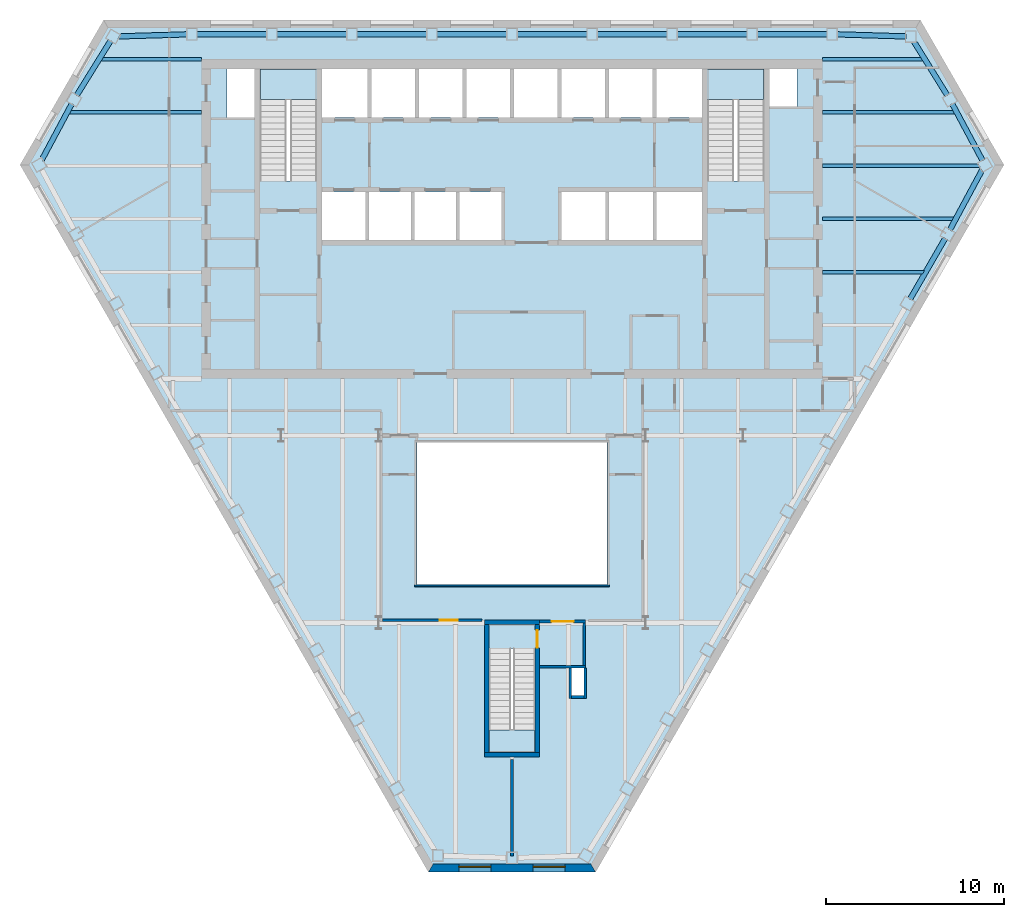
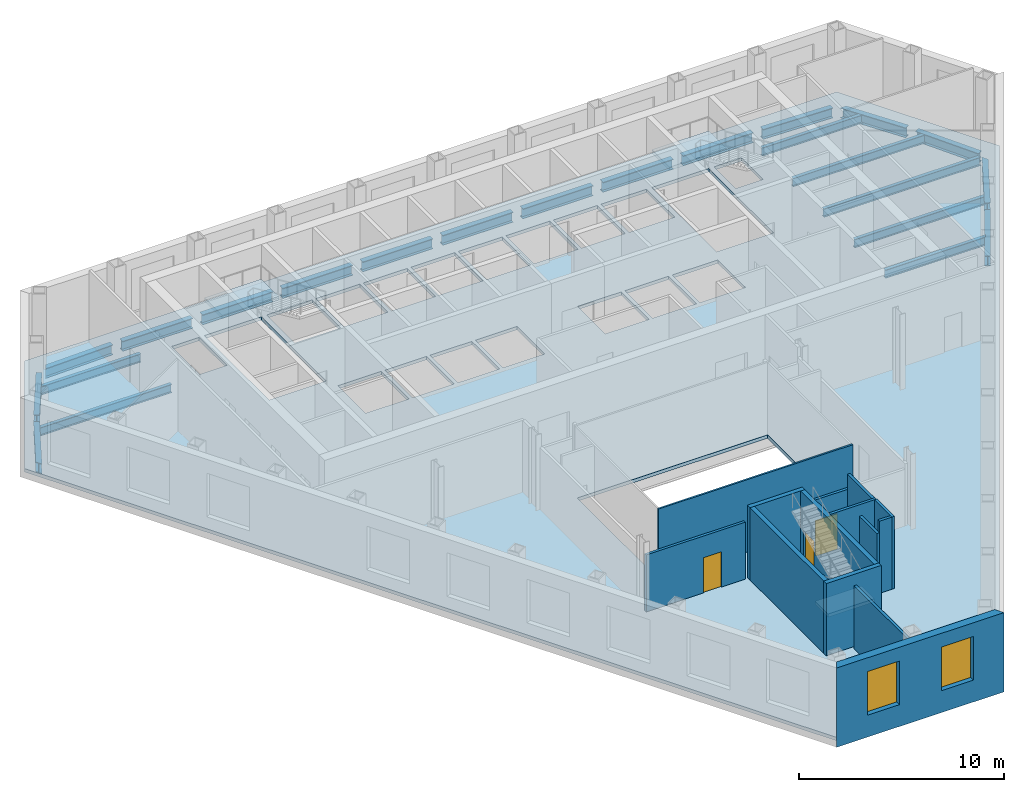
# One storey, part 3 of 11: 23 beams, 14 walls, 4 slabs, 3 doors, 2 windows, 5 openings, 3 elements without a shape of their own.
"""IFC4 building model written with IfcOpenShell, lengths in metres."""

from ifc_helpers import new_model, si_unit, direction, frame, frame_2d, origin, origin_2d, place, context, subcontext, project, spatial, polyline, rectangle, i_section, outline, extrude, clip, halfspace, material, layer, layer_set, material_profile, profile_set, type_object, element, fill, aggregate, save


model = new_model("IFC4")

# Units and contexts
model_context = context("Model", 3, precision=1e-05, world=origin(), true_north=direction((0.0, 1.0)))
body_context = subcontext(model_context, "Body", "Model", "MODEL_VIEW")
ifc_project = project(units=[si_unit("LENGTHUNIT", "METRE"), si_unit("AREAUNIT", "SQUARE_METRE"), si_unit("VOLUMEUNIT", "CUBIC_METRE"), si_unit("PLANEANGLEUNIT", "RADIAN"), si_unit("MASSUNIT", "GRAM", prefix="KILO")], contexts=[model_context])

# Site, building, storey
site_placement = place(None, origin())
site = spatial("IfcSite", under=ifc_project, at=site_placement, CompositionType="ELEMENT")
building_placement = place(site_placement, origin())
building = spatial("IfcBuilding", under=site, at=building_placement, Name="Njiva Tower", CompositionType="ELEMENT")
storey_placement = place(building_placement, frame((0.0, 0.0, 129.3)))
storey = spatial("IfcBuildingStorey", under=building, at=storey_placement, Name="L27", CompositionType="ELEMENT", Elevation=129.3)

# Beams
ifc_material_1 = material(Name="Steel S355 J2", Category="steel")
ifc_material_profile_1 = material_profile(ifc_material_1, i_section(OverallWidth=0.2, OverallDepth=0.5, WebThickness=0.0102, FlangeThickness=0.016, at=origin_2d()), Name="IPE 500")
ifc_profile_set_1 = profile_set([ifc_material_profile_1], Name="Steel S355 J2")
beam_type_1 = type_object("IfcBeamType", Name="B24 Floor beam to the core IPE 500", PredefinedType="BEAM", material=ifc_profile_set_1)
beam_1_placement = place(storey_placement, frame((17.5, 6.0, -0.45), z_axis=(1.0, 0.0, 0.0), x_axis=(0.0, 1.0, 0.0)))
element("IfcBeam", 1, at=beam_1_placement, inside=storey, type_object=beam_type_1, Name="Floor beam to the core S09-B009", PredefinedType="BEAM", context=body_context, shape_type="Clipping", body=[
    clip(extrude(i_section(OverallWidth=0.2, OverallDepth=0.5, WebThickness=0.0102, FlangeThickness=0.016, at=origin_2d()), origin(), (0.0, 0.0, 1.0), 5.76), halfspace(frame((-0.025, 0.0, 5.668), z_axis=(-0.499998009787, 0.0, 0.866026552831), x_axis=(0.0, 1.0, 0.0)), False)),
])
beam_2_placement = place(storey_placement, frame((17.5, 9.0, -0.45), z_axis=(1.0, 0.0, 0.0), x_axis=(0.0, 1.0, 0.0)))
element("IfcBeam", 2, at=beam_2_placement, inside=storey, type_object=beam_type_1, Name="Floor beam to the core S09-B010", PredefinedType="BEAM", context=body_context, shape_type="Clipping", body=[
    clip(extrude(i_section(OverallWidth=0.2, OverallDepth=0.5, WebThickness=0.0102, FlangeThickness=0.016, at=origin_2d()), origin(), (0.0, 0.0, 1.0), 7.456), halfspace(frame((-0.0237, 0.0, 7.3697), z_axis=(-0.473769423091, 0.0, 0.880648927634), x_axis=(0.0, 1.0, 0.0)), False)),
])
beam_3_placement = place(storey_placement, frame((17.5, 12.0, -0.45), z_axis=(1.0, 0.0, 0.0), x_axis=(0.0, 1.0, 0.0)))
element("IfcBeam", 3, at=beam_3_placement, inside=storey, type_object=beam_type_1, Name="Floor beam to the core S09-B011", PredefinedType="BEAM", context=body_context, shape_type="Clipping", body=[
    clip(extrude(i_section(OverallWidth=0.2, OverallDepth=0.5, WebThickness=0.0102, FlangeThickness=0.016, at=origin_2d()), origin(), (0.0, 0.0, 1.0), 8.889), halfspace(frame((0.025, 0.0, 8.7964), z_axis=(0.499998009787, 0.0, 0.866026552831), x_axis=(0.0, 1.0, 0.0)), False)),
])
beam_4_placement = place(storey_placement, frame((-25.009, 15.0, -0.45), z_axis=(1.0, 0.0, 0.0), x_axis=(0.0, 1.0, 0.0)))
element("IfcBeam", 4, at=beam_4_placement, inside=storey, type_object=beam_type_1, Name="Floor beam to the core S09-B003", PredefinedType="BEAM", context=body_context, shape_type="Clipping", body=[
    clip(extrude(i_section(OverallWidth=0.2, OverallDepth=0.5, WebThickness=0.0102, FlangeThickness=0.016, at=origin_2d()), origin(), (0.0, 0.0, 1.0), 7.509), halfspace(frame((0.0236, 0.0, 0.0867), z_axis=(0.472121785733, 0.0, -0.881533334274), x_axis=(0.0, -1.0, 0.0)), False)),
])
beam_5_placement = place(storey_placement, frame((17.5, 15.0, -0.45), z_axis=(1.0, 0.0, 0.0), x_axis=(0.0, 1.0, 0.0)))
element("IfcBeam", 5, at=beam_5_placement, inside=storey, type_object=beam_type_1, Name="Floor beam to the core S09-B013", PredefinedType="BEAM", context=body_context, shape_type="Clipping", body=[
    clip(extrude(i_section(OverallWidth=0.2, OverallDepth=0.5, WebThickness=0.0102, FlangeThickness=0.016, at=origin_2d()), origin(), (0.0, 0.0, 1.0), 7.509), halfspace(frame((0.0236, 0.0, 7.4223), z_axis=(0.472121785733, 0.0, 0.881533334274), x_axis=(0.0, 1.0, 0.0)), False)),
])
beam_6_placement = place(storey_placement, frame((-23.212, 18.0, -0.45), z_axis=(1.0, 0.0, 0.0), x_axis=(0.0, 1.0, 0.0)))
element("IfcBeam", 6, at=beam_6_placement, inside=storey, type_object=beam_type_1, Name="Floor beam to the core S09-B006", PredefinedType="BEAM", context=body_context, shape_type="Clipping", body=[
    clip(extrude(i_section(OverallWidth=0.2, OverallDepth=0.5, WebThickness=0.0102, FlangeThickness=0.016, at=origin_2d()), origin(), (0.0, 0.0, 1.0), 5.712), halfspace(frame((0.0264, 0.0, 0.0984), z_axis=(0.527368089217, 0.0, -0.849636921559), x_axis=(0.0, -1.0, 0.0)), False)),
])
beam_7_placement = place(storey_placement, frame((17.5, 18.0, -0.45), z_axis=(1.0, 0.0, 0.0), x_axis=(0.0, 1.0, 0.0)))
element("IfcBeam", 7, at=beam_7_placement, inside=storey, type_object=beam_type_1, Name="Floor beam to the core S09-B014", PredefinedType="BEAM", context=body_context, shape_type="Clipping", body=[
    clip(extrude(i_section(OverallWidth=0.2, OverallDepth=0.5, WebThickness=0.0102, FlangeThickness=0.016, at=origin_2d()), origin(), (0.0, 0.0, 1.0), 5.712), halfspace(frame((0.0264, 0.0, 5.6136), z_axis=(0.527368089217, 0.0, 0.849636921559), x_axis=(0.0, 1.0, 0.0)), False)),
])
ifc_material_profile_2 = material_profile(ifc_material_1, i_section(OverallWidth=0.3, OverallDepth=0.6, WebThickness=0.0155, FlangeThickness=0.03, at=origin_2d()), Name="HEB 600")
ifc_profile_set_2 = profile_set([ifc_material_profile_2], Name="Steel S355 J2")
beam_type_2 = type_object("IfcBeamType", Name="B3 Short-span spandrel beam HEB 600", PredefinedType="SPANDREL", material=ifc_profile_set_2)
beam_8_placement = place(storey_placement, frame((22.182, 19.275, -0.5), z_axis=(-0.999544015996, 0.030195365317, 0.0), x_axis=(-0.030195365317, -0.999544015996, 0.0)))
element("IfcBeam", 8, at=beam_8_placement, inside=storey, type_object=beam_type_2, Name="Short-span spandrel beam S09-B144", PredefinedType="SPANDREL", context=body_context, shape_type="SweptSolid", body=[
    extrude(i_section(OverallWidth=0.3, OverallDepth=0.6, WebThickness=0.0155, FlangeThickness=0.03, at=origin_2d()), origin(), (0.0, 0.0, 1.0), 3.8748),
])
beam_9_placement = place(storey_placement, frame((17.755, 19.4, -0.5), z_axis=(-1.0, 0.0, 0.0), x_axis=(0.0, -1.0, 0.0)))
element("IfcBeam", 9, at=beam_9_placement, inside=storey, type_object=beam_type_2, Name="Short-span spandrel beam S09-B138", PredefinedType="SPANDREL", context=body_context, shape_type="SweptSolid", body=[
    extrude(i_section(OverallWidth=0.3, OverallDepth=0.6, WebThickness=0.0155, FlangeThickness=0.03, at=origin_2d()), origin(), (0.0, 0.0, 1.0), 3.957),
])
beam_10_placement = place(storey_placement, frame((13.248, 19.4, -0.5), z_axis=(-1.0, 0.0, 0.0), x_axis=(0.0, -1.0, 0.0)))
element("IfcBeam", 10, at=beam_10_placement, inside=storey, type_object=beam_type_2, Name="Short-span spandrel beam S09-B132", PredefinedType="SPANDREL", context=body_context, shape_type="SweptSolid", body=[
    extrude(i_section(OverallWidth=0.3, OverallDepth=0.6, WebThickness=0.0155, FlangeThickness=0.03, at=origin_2d()), origin(), (0.0, 0.0, 1.0), 3.958),
])
beam_11_placement = place(storey_placement, frame((8.74, 19.4, -0.5), z_axis=(-1.0, 0.0, 0.0), x_axis=(0.0, -1.0, 0.0)))
element("IfcBeam", 11, at=beam_11_placement, inside=storey, type_object=beam_type_2, Name="Short-span spandrel beam S09-B127", PredefinedType="SPANDREL", context=body_context, shape_type="SweptSolid", body=[
    extrude(i_section(OverallWidth=0.3, OverallDepth=0.6, WebThickness=0.0155, FlangeThickness=0.03, at=origin_2d()), origin(), (0.0, 0.0, 1.0), 3.957),
])
for number, where, z_axis, x_axis, name in (
    (12, (4.233, 19.4, -0.5), (-1.0, 0.0, 0.0), (0.0, -1.0, 0.0), "Short-span spandrel beam S09-B122"),
    (13, (-0.275, 19.4, -0.5), (-1.0, 0.0, 0.0), (0.0, -1.0, 0.0), "Short-span spandrel beam S09-B119"),
):
    element("IfcBeam", number, at=place(storey_placement, frame(where, z_axis=z_axis, x_axis=x_axis)), inside=storey, type_object=beam_type_2, Name=name, PredefinedType="SPANDREL", context=body_context, shape_type="SweptSolid", body=[
        extrude(i_section(OverallWidth=0.3, OverallDepth=0.6, WebThickness=0.0155, FlangeThickness=0.03, at=origin_2d()), origin(), (0.0, 0.0, 1.0), 3.958),
    ])
beam_12_placement = place(storey_placement, frame((-4.783, 19.4, -0.5), z_axis=(-1.0, 0.0, 0.0), x_axis=(0.0, -1.0, 0.0)))
element("IfcBeam", 14, at=beam_12_placement, inside=storey, type_object=beam_type_2, Name="Short-span spandrel beam S09-B114", PredefinedType="SPANDREL", context=body_context, shape_type="SweptSolid", body=[
    extrude(i_section(OverallWidth=0.3, OverallDepth=0.6, WebThickness=0.0155, FlangeThickness=0.03, at=origin_2d()), origin(), (0.0, 0.0, 1.0), 3.957),
])
beam_13_placement = place(storey_placement, frame((-9.29, 19.4, -0.5), z_axis=(-1.0, 0.0, 0.0), x_axis=(0.0, -1.0, 0.0)))
element("IfcBeam", 15, at=beam_13_placement, inside=storey, type_object=beam_type_2, Name="Short-span spandrel beam S09-B109", PredefinedType="SPANDREL", context=body_context, shape_type="SweptSolid", body=[
    extrude(i_section(OverallWidth=0.3, OverallDepth=0.6, WebThickness=0.0155, FlangeThickness=0.03, at=origin_2d()), origin(), (0.0, 0.0, 1.0), 3.958),
])
beam_14_placement = place(storey_placement, frame((-13.798, 19.4, -0.5), z_axis=(-1.0, 0.0, 0.0), x_axis=(0.0, -1.0, 0.0)))
element("IfcBeam", 16, at=beam_14_placement, inside=storey, type_object=beam_type_2, Name="Short-span spandrel beam S09-B103", PredefinedType="SPANDREL", context=body_context, shape_type="SweptSolid", body=[
    extrude(i_section(OverallWidth=0.3, OverallDepth=0.6, WebThickness=0.0155, FlangeThickness=0.03, at=origin_2d()), origin(), (0.0, 0.0, 1.0), 3.957),
])
beam_15_placement = place(storey_placement, frame((-18.309, 19.392, -0.5), z_axis=(-0.999542384946, -0.030249309018, 0.0), x_axis=(0.030249309018, -0.999542384946, 0.0)))
element("IfcBeam", 17, at=beam_15_placement, inside=storey, type_object=beam_type_2, Name="Short-span spandrel beam S09-B098", PredefinedType="SPANDREL", context=body_context, shape_type="Clipping", body=[
    clip(extrude(i_section(OverallWidth=0.3, OverallDepth=0.6, WebThickness=0.0155, FlangeThickness=0.03, at=origin_2d()), origin(), (0.0, 0.0, 1.0), 3.9147), halfspace(frame((-0.0268, 0.0, 3.785), z_axis=(-0.525965907985, 0.0, 0.850505651737), x_axis=(0.0, 1.0, 0.0)), False)),
])
beam_16_placement = place(storey_placement, frame((-22.608, 19.03, -0.5), z_axis=(-0.52741105223, -0.84961025299, 0.0), x_axis=(0.84961025299, -0.52741105223, 0.0)))
element("IfcBeam", 18, at=beam_16_placement, inside=storey, type_object=beam_type_2, Name="Short-span spandrel beam S09-B094", PredefinedType="SPANDREL", context=body_context, shape_type="SweptSolid", body=[
    extrude(i_section(OverallWidth=0.3, OverallDepth=0.6, WebThickness=0.0155, FlangeThickness=0.03, at=origin_2d()), origin(), (0.0, 0.0, 1.0), 3.6158),
])
beam_17_placement = place(storey_placement, frame((-24.794, 15.475, -0.5), z_axis=(-0.472111709674, -0.881538730623, 0.0), x_axis=(0.881538730623, -0.472111709674, 0.0)))
element("IfcBeam", 19, at=beam_17_placement, inside=storey, type_object=beam_type_2, Name="Short-span spandrel beam S09-B091", PredefinedType="SPANDREL", context=body_context, shape_type="Clipping", body=[
    clip(extrude(i_section(OverallWidth=0.3, OverallDepth=0.6, WebThickness=0.0155, FlangeThickness=0.03, at=origin_2d()), origin(), (0.0, 0.0, 1.0), 3.6545), halfspace(frame((-0.0264, 0.0, 3.5254), z_axis=(-0.527381032835, 0.0, 0.849628887342), x_axis=(0.0, 1.0, 0.0)), False)),
])
beam_18_placement = place(storey_placement, frame((22.416, 4.473, -0.5), z_axis=(0.500079715141, 0.865979375335, 0.0), x_axis=(-0.865979375335, 0.500079715141, 0.0)))
element("IfcBeam", 20, at=beam_18_placement, inside=storey, type_object=beam_type_2, Name="Short-span spandrel beam S09-B148", PredefinedType="SPANDREL", context=body_context, shape_type="SweptSolid", body=[
    extrude(i_section(OverallWidth=0.3, OverallDepth=0.6, WebThickness=0.0155, FlangeThickness=0.03, at=origin_2d()), origin(), (0.0, 0.0, 1.0), 3.9574),
])
beam_19_placement = place(storey_placement, frame((24.664, 8.383, -0.5), z_axis=(0.473833234229, 0.880614595689, 0.0), x_axis=(-0.880614595689, 0.473833234229, 0.0)))
element("IfcBeam", 21, at=beam_19_placement, inside=storey, type_object=beam_type_2, Name="Short-span spandrel beam S09-B152", PredefinedType="SPANDREL", context=body_context, shape_type="Clipping", body=[
    clip(extrude(i_section(OverallWidth=0.3, OverallDepth=0.6, WebThickness=0.0155, FlangeThickness=0.03, at=origin_2d()), origin(), (0.0, 0.0, 1.0), 3.916), halfspace(frame((-0.026, 0.0, 3.7865), z_axis=(-0.525719948592, 0.0, 0.85065770769), x_axis=(0.0, 1.0, 0.0)), False)),
])
beam_20_placement = place(storey_placement, frame((26.501, 12.288, -0.5), z_axis=(-0.472152330165, 0.881516974947, 0.0), x_axis=(-0.881516974947, -0.472152330165, 0.0)))
element("IfcBeam", 22, at=beam_20_placement, inside=storey, type_object=beam_type_2, Name="Short-span spandrel beam S09-B153", PredefinedType="SPANDREL", context=body_context, shape_type="SweptSolid", body=[
    extrude(i_section(OverallWidth=0.3, OverallDepth=0.6, WebThickness=0.0155, FlangeThickness=0.03, at=origin_2d()), origin(), (0.0, 0.0, 1.0), 3.6154),
])
beam_21_placement = place(storey_placement, frame((24.515, 15.958, -0.5), z_axis=(-0.527433144969, 0.849596538122, 0.0), x_axis=(-0.849596538122, -0.527433144969, 0.0)))
element("IfcBeam", 23, at=beam_21_placement, inside=storey, type_object=beam_type_2, Name="Short-span spandrel beam S09-B149", PredefinedType="SPANDREL", context=body_context, shape_type="Clipping", body=[
    clip(extrude(i_section(OverallWidth=0.3, OverallDepth=0.6, WebThickness=0.0155, FlangeThickness=0.03, at=origin_2d()), origin(), (0.0, 0.0, 1.0), 3.6547), halfspace(frame((-0.0267, 0.0, 3.5251), z_axis=(-0.527433144969, 0.0, 0.849596538122), x_axis=(0.0, 1.0, 0.0)), False)),
])

# Stair, slab
ifc_material_2 = material(Name="Concrete C40/50", Category="concrete")
stair_type_1 = type_object("IfcStairType", Name="ST4 Exit stair 1500", PredefinedType="HALF_TURN_STAIR", material=ifc_material_2)
stair_1_placement = place(storey_placement, origin())
stair_1 = element("IfcStair", 24, at=stair_1_placement, inside=storey, type_object=stair_type_1, Name="Stair A", PredefinedType="HALF_TURN_STAIR")
ifc_layer_1 = layer(ifc_material_2, 0.2)
ifc_layer_set_1 = layer_set([ifc_layer_1], Name="Concrete C40/50")
slab_type_1 = type_object("IfcSlabType", Name="FL9 Stair landing 200", PredefinedType="LANDING", material=ifc_layer_set_1)
slab_1_placement = place(storey_placement, frame((0.0, 0.0, 2.05)))
slab_1 = element("IfcSlab", 25, at=slab_1_placement, type_object=slab_type_1, Name="ST-A landing 1", PredefinedType="LANDING", context=body_context, shape_type="SweptSolid", body=[
    extrude(outline(polyline([(-14.206, 15.72), (-10.994, 15.72), (-10.994, 17.45), (-14.206, 17.45), (-14.206, 15.72)])), origin(), (0.0, 0.0, 1.0), 0.2),
])
aggregate(stair_1, [slab_1])

stair_2_placement = place(storey_placement, origin())
stair_2 = element("IfcStair", 26, at=stair_2_placement, inside=storey, type_object=stair_type_1, Name="Stair B", PredefinedType="HALF_TURN_STAIR")
slab_2_placement = place(storey_placement, frame((0.0, 0.0, 2.05)))
slab_2 = element("IfcSlab", 27, at=slab_2_placement, type_object=slab_type_1, Name="ST-B landing 1", PredefinedType="LANDING", context=body_context, shape_type="SweptSolid", body=[
    extrude(outline(polyline([(10.994, 15.72), (14.206, 15.72), (14.206, 17.45), (10.994, 17.45), (10.994, 15.72)])), origin(), (0.0, 0.0, 1.0), 0.2),
])
aggregate(stair_2, [slab_2])

stair_type_2 = type_object("IfcStairType", Name="ST1 Exit stair 1250", PredefinedType="HALF_TURN_STAIR", material=ifc_material_2)
stair_3_placement = place(storey_placement, origin())
stair_3 = element("IfcStair", 28, at=stair_3_placement, inside=storey, type_object=stair_type_2, Name="Stair C", PredefinedType="HALF_TURN_STAIR")
slab_3_placement = place(storey_placement, frame((0.0, 0.0, 2.05)))
slab_3 = element("IfcSlab", 29, at=slab_3_placement, type_object=slab_type_1, Name="ST-C landing 1", PredefinedType="LANDING", context=body_context, shape_type="SweptSolid", body=[
    extrude(outline(polyline([(-1.306, -21.05), (1.306, -21.05), (1.306, -19.78), (-1.306, -19.78), (-1.306, -21.05)])), origin(), (0.0, 0.0, 1.0), 0.2),
])
aggregate(stair_3, [slab_3])

# Slab
ifc_material_3 = material(Name="Concrete C30/37", Category="concrete")
ifc_layer_2 = layer(ifc_material_3, 0.2)
ifc_layer_set_2 = layer_set([ifc_layer_2], Name="Concrete C30/37")
slab_type_2 = type_object("IfcSlabType", Name="SL16 Composite floor slab 200", PredefinedType="FLOOR", material=ifc_layer_set_2)
slab_4_placement = place(storey_placement, frame((0.0, 0.0, -0.2)))
element("IfcSlab", 30, at=slab_4_placement, inside=storey, type_object=slab_type_2, Name="Floor slab L27", PredefinedType="FLOOR", context=body_context, shape_type="SweptSolid", body=[
    extrude(outline(polyline([(27.4502, 12.042), (4.5801, -27.5701), (-4.5801, -27.5701), (-27.4502, 12.042), (-22.8701, 19.975), (22.8701, 19.975), (27.4502, 12.042)]), holes=[polyline([(14.5, 17.45), (14.5, 15.3269), (16.05, 15.3269), (16.05, 17.45), (14.5, 17.45)]), polyline([(10.994, 11.13), (14.206, 11.13), (14.206, 17.45), (10.994, 17.45), (10.994, 11.13)]), polyline([(8.125, 17.45), (8.125, 14.7), (10.7, 14.7), (10.7, 17.45), (8.125, 17.45)]), polyline([(8.1333, 10.5), (8.1333, 7.8), (10.7, 7.8), (10.7, 10.5), (8.1333, 10.5)]), polyline([(5.4667, 10.5), (5.4667, 7.8), (7.9333, 7.8), (7.9333, 10.5), (5.4667, 10.5)]), polyline([(5.45, 14.7), (7.925, 14.7), (7.925, 17.45), (5.45, 17.45), (5.45, 14.7)]), polyline([(5.36, -11.6), (5.36, -3.6), (-5.36, -3.6), (-5.36, -11.6), (5.36, -11.6)]), polyline([(2.8, 7.8), (5.2667, 7.8), (5.2667, 10.5), (2.8, 10.5), (2.8, 7.8)]), polyline([(2.775, 17.45), (2.775, 14.7), (5.25, 14.7), (5.25, 17.45), (2.775, 17.45)]), polyline([(3.35, -17.85), (4.05, -17.85), (4.05, -16.3), (3.35, -16.3), (3.35, -17.85)]), polyline([(0.1, 17.45), (0.1, 14.7), (2.575, 14.7), (2.575, 17.45), (0.1, 17.45)]), polyline([(-1.306, -21.05), (1.306, -21.05), (1.306, -15.19), (-1.306, -15.19), (-1.306, -21.05)]), polyline([(-2.575, 17.45), (-2.575, 14.7), (-0.1, 14.7), (-0.1, 17.45), (-2.575, 17.45)]), polyline([(-2.95, 10.5), (-2.95, 7.8), (-0.6, 7.8), (-0.6, 10.5), (-2.95, 10.5)]), polyline([(-5.25, 14.7), (-2.775, 14.7), (-2.775, 17.45), (-5.25, 17.45), (-5.25, 14.7)]), polyline([(-5.5, 10.5), (-5.5, 7.8), (-3.15, 7.8), (-3.15, 10.5), (-5.5, 10.5)]), polyline([(-7.925, 17.45), (-7.925, 14.7), (-5.45, 14.7), (-5.45, 17.45), (-7.925, 17.45)]), polyline([(-8.05, 7.8), (-5.7, 7.8), (-5.7, 10.5), (-8.05, 10.5), (-8.05, 7.8)]), polyline([(-10.7, 17.45), (-10.7, 14.7), (-8.125, 14.7), (-8.125, 17.45), (-10.7, 17.45)]), polyline([(-10.7, 7.8), (-8.25, 7.8), (-8.25, 10.5), (-10.7, 10.5), (-10.7, 7.8)]), polyline([(-14.206, 11.13), (-10.994, 11.13), (-10.994, 17.45), (-14.206, 17.45), (-14.206, 11.13)]), polyline([(-14.5, 14.7096), (-14.5, 17.45), (-16.05, 17.45), (-16.05, 14.7096), (-14.5, 14.7096)])]), origin(), (0.0, 0.0, 1.0), 0.2),
])

# Wall, opening, door
ifc_material_4 = material(Name="Gypsum board on steel studs", Category="gypsum")
ifc_layer_3 = layer(ifc_material_4, 0.15)
ifc_layer_set_3 = layer_set([ifc_layer_3], Name="Gypsum board on steel studs")
wall_type_1 = type_object("IfcWallType", Name="WT21 Compartment wall 150", PredefinedType="PARTITIONING", material=ifc_layer_set_3)
wall_1_placement = place(storey_placement, frame((-7.285, -13.6, 0.0), z_axis=(0.0, 0.0, 1.0), x_axis=(1.0, 0.0, 0.0)))
wall_1 = element("IfcWall", 31, at=wall_1_placement, inside=storey, type_object=wall_type_1, Name="Partition S09-P005", PredefinedType="PARTITIONING", context=body_context, shape_type="SweptSolid", body=[
    extrude(rectangle(XDim=5.585, YDim=0.15, at=frame_2d((2.7925, 0.0))), origin(), (0.0, 0.0, 1.0), 3.39),
])
opening_1_placement = place(wall_1_placement, frame((3.224, 0.0, 0.0)))
opening_1 = element("IfcOpeningElement", 32, at=opening_1_placement, cuts=wall_1, Name="Opening S09-D003", PredefinedType="OPENING", context=body_context, shape_type="SweptSolid", body=[
    extrude(rectangle(XDim=1.0, YDim=2.1, at=frame_2d((0.5, 1.05))), frame((0.0, 0.085, 0.0), z_axis=(0.0, -1.0, 0.0), x_axis=(1.0, 0.0, 0.0)), (0.0, 0.0, 1.0), 0.17),
])
ifc_material_5 = material(Name="Steel fire door set", Category="steel")
door_type_1 = type_object("IfcDoorType", Name="D37 Fire door 1000x2100", OperationType="SINGLE_SWING_LEFT", PredefinedType="DOOR", material=ifc_material_5)
door_1_placement = place(opening_1_placement, origin())
door_1 = element("IfcDoor", 33, at=door_1_placement, inside=storey, type_object=door_type_1, Name="Door S09-D003", OperationType="SINGLE_SWING_RIGHT", OverallHeight=2.1, OverallWidth=1.0, PredefinedType="DOOR", context=body_context, shape_type="SweptSolid", body=[
    extrude(rectangle(XDim=1.0, YDim=2.1, at=frame_2d((0.5, 1.05))), frame((0.0, 0.025, 0.0), z_axis=(0.0, -1.0, 0.0), x_axis=(1.0, 0.0, 0.0)), (0.0, 0.0, 1.0), 0.05),
])
fill(opening_1, door_1)

# Walls
wall_2_placement = place(storey_placement, frame((0.0, -26.895, 0.0), z_axis=(0.0, 0.0, 1.0), x_axis=(0.0, 1.0, 0.0)))
element("IfcWall", 34, at=wall_2_placement, inside=storey, type_object=wall_type_1, Name="Partition S09-P009", PredefinedType="PARTITIONING", context=body_context, shape_type="SweptSolid", body=[
    extrude(rectangle(XDim=5.445, YDim=0.15, at=frame_2d((2.7225, 0.0))), origin(), (0.0, 0.0, 1.0), 3.75),
])
ifc_material_6 = material(Name="Blockwork", Category="masonry")
ifc_layer_4 = layer(ifc_material_6, 0.15)
ifc_layer_set_4 = layer_set([ifc_layer_4], Name="Blockwork")
wall_type_2 = type_object("IfcWallType", Name="WT4 Stair partition 150", PredefinedType="PARTITIONING", material=ifc_layer_set_4)
wall_3_placement = place(storey_placement, frame((1.55, -16.225, 0.0), z_axis=(0.0, 0.0, 1.0), x_axis=(1.0, 0.0, 0.0)))
element("IfcWall", 35, at=wall_3_placement, inside=storey, type_object=wall_type_2, Name="Stair C vestibule wall south", PredefinedType="PARTITIONING", context=body_context, shape_type="SweptSolid", body=[
    extrude(rectangle(XDim=2.6, YDim=0.15, at=frame_2d((1.3, 0.0))), origin(), (0.0, 0.0, 1.0), 4.3),
])
wall_4_placement = place(storey_placement, frame((4.075, -16.15, 0.0), z_axis=(0.0, 0.0, 1.0), x_axis=(0.0, 1.0, 0.0)))
element("IfcWall", 36, at=wall_4_placement, inside=storey, type_object=wall_type_2, Name="Stair C vestibule wall east", PredefinedType="PARTITIONING", context=body_context, shape_type="SweptSolid", body=[
    extrude(rectangle(XDim=2.4, YDim=0.15, at=frame_2d((1.2, 0.0))), origin(), (0.0, 0.0, 1.0), 4.3),
])

# Wall, opening, door
wall_5_placement = place(storey_placement, frame((1.55, -13.675, 0.0), z_axis=(0.0, 0.0, 1.0), x_axis=(1.0, 0.0, 0.0)))
wall_5 = element("IfcWall", 37, at=wall_5_placement, inside=storey, type_object=wall_type_2, Name="Stair C vestibule wall north", PredefinedType="PARTITIONING", context=body_context, shape_type="SweptSolid", body=[
    extrude(rectangle(XDim=2.6, YDim=0.15, at=frame_2d((1.3, 0.0))), origin(), (0.0, 0.0, 1.0), 3.39),
])
opening_2_placement = place(wall_5_placement, frame((0.675, 0.0, 0.0)))
opening_2 = element("IfcOpeningElement", 38, at=opening_2_placement, cuts=wall_5, Name="Opening S09-D940", PredefinedType="OPENING", context=body_context, shape_type="SweptSolid", body=[
    extrude(rectangle(XDim=1.25, YDim=2.1, at=frame_2d((0.625, 1.05))), frame((0.0, 0.085, 0.0), z_axis=(0.0, -1.0, 0.0), x_axis=(1.0, 0.0, 0.0)), (0.0, 0.0, 1.0), 0.17),
])
ifc_material_7 = material(Name="Glazed steel fire door", Category="steel")
door_type_2 = type_object("IfcDoorType", Name="D8 Vestibule corridor door 1250x2100 glazed", OperationType="SINGLE_SWING_LEFT", PredefinedType="DOOR", material=ifc_material_7)
door_2_placement = place(opening_2_placement, origin())
door_2 = element("IfcDoor", 39, at=door_2_placement, inside=storey, type_object=door_type_2, Name="Stair vestibule corridor door", OperationType="SINGLE_SWING_RIGHT", OverallHeight=2.1, OverallWidth=1.25, PredefinedType="DOOR", context=body_context, shape_type="SweptSolid", body=[
    extrude(rectangle(XDim=1.25, YDim=2.1, at=frame_2d((0.625, 1.05))), frame((0.0, 0.025, 0.0), z_axis=(0.0, -1.0, 0.0), x_axis=(1.0, 0.0, 0.0)), (0.0, 0.0, 1.0), 0.05),
])
fill(opening_2, door_2)

# Walls
wall_6_placement = place(storey_placement, frame((3.275, -18.0, 0.0), z_axis=(0.0, 0.0, 1.0), x_axis=(0.0, 1.0, 0.0)))
element("IfcWall", 40, at=wall_6_placement, inside=storey, type_object=wall_type_2, Name="Stair C pressurisation shaft wall", PredefinedType="PARTITIONING", context=body_context, shape_type="SweptSolid", body=[
    extrude(rectangle(XDim=1.7, YDim=0.15, at=frame_2d((0.85, 0.0))), origin(), (0.0, 0.0, 1.0), 3.61),
])
wall_7_placement = place(storey_placement, frame((3.35, -17.925, 0.0), z_axis=(0.0, 0.0, 1.0), x_axis=(1.0, 0.0, 0.0)))
element("IfcWall", 41, at=wall_7_placement, inside=storey, type_object=wall_type_2, Name="Stair C pressurisation shaft wall", PredefinedType="PARTITIONING", context=body_context, shape_type="SweptSolid", body=[
    extrude(rectangle(XDim=0.7, YDim=0.15, at=frame_2d((0.35, 0.0))), origin(), (0.0, 0.0, 1.0), 4.3),
])
wall_8_placement = place(storey_placement, frame((4.125, -18.0, 0.0), z_axis=(0.0, 0.0, 1.0), x_axis=(0.0, 1.0, 0.0)))
element("IfcWall", 42, at=wall_8_placement, inside=storey, type_object=wall_type_2, Name="Stair C pressurisation shaft wall", PredefinedType="PARTITIONING", context=body_context, shape_type="SweptSolid", body=[
    extrude(rectangle(XDim=1.7, YDim=0.15, at=frame_2d((0.85, 0.0))), origin(), (0.0, 0.0, 1.0), 4.3),
])
ifc_layer_5 = layer(ifc_material_2, 0.25)
ifc_layer_set_5 = layer_set([ifc_layer_5], Name="Concrete C40/50")
wall_type_3 = type_object("IfcWallType", Name="WT9 Stair enclosure wall 250", PredefinedType="SHEAR", material=ifc_layer_set_5)
wall_9_placement = place(storey_placement, frame((-1.425, -21.05, 0.0), z_axis=(0.0, 0.0, 1.0), x_axis=(0.0, 1.0, 0.0)))
element("IfcWall", 43, at=wall_9_placement, inside=storey, type_object=wall_type_3, Name="Stair C wall west", PredefinedType="SHEAR", context=body_context, shape_type="SweptSolid", body=[
    extrude(rectangle(XDim=7.2, YDim=0.25, at=frame_2d((3.6, 0.0))), origin(), (0.0, 0.0, 1.0), 4.3),
])

# Wall, opening, door
wall_10_placement = place(storey_placement, frame((1.425, -21.05, 0.0), z_axis=(0.0, 0.0, 1.0), x_axis=(0.0, 1.0, 0.0)))
wall_10 = element("IfcWall", 44, at=wall_10_placement, inside=storey, type_object=wall_type_3, Name="Stair C wall east", PredefinedType="SHEAR", context=body_context, shape_type="SweptSolid", body=[
    extrude(rectangle(XDim=7.2, YDim=0.25, at=frame_2d((3.6, 0.0))), origin(), (0.0, 0.0, 1.0), 4.3),
])
opening_3_placement = place(wall_10_placement, frame((5.89, 0.0, 0.0)))
opening_3 = element("IfcOpeningElement", 45, at=opening_3_placement, cuts=wall_10, Name="Opening S09-D939", PredefinedType="OPENING", context=body_context, shape_type="SweptSolid", body=[
    extrude(rectangle(XDim=1.0, YDim=2.1, at=frame_2d((0.5, 1.05))), frame((0.0, 0.135, 0.0), z_axis=(0.0, -1.0, 0.0), x_axis=(1.0, 0.0, 0.0)), (0.0, 0.0, 1.0), 0.27),
])
door_type_3 = type_object("IfcDoorType", Name="D9 Stair vestibule door 1000x2100 glazed", OperationType="SINGLE_SWING_LEFT", PredefinedType="DOOR", material=ifc_material_7)
door_3_placement = place(opening_3_placement, origin())
door_3 = element("IfcDoor", 46, at=door_3_placement, inside=storey, type_object=door_type_3, Name="Stair C door", OperationType="SINGLE_SWING_LEFT", OverallHeight=2.1, OverallWidth=1.0, PredefinedType="DOOR", context=body_context, shape_type="SweptSolid", body=[
    extrude(rectangle(XDim=1.0, YDim=2.1, at=frame_2d((0.5, 1.05))), frame((0.0, 0.025, 0.0), z_axis=(0.0, -1.0, 0.0), x_axis=(1.0, 0.0, 0.0)), (0.0, 0.0, 1.0), 0.05),
])
fill(opening_3, door_3)

# Walls
for number, where, z_axis, x_axis, name in (
    (47, (-1.55, -21.175, 0.0), (0.0, 0.0, 1.0), (1.0, 0.0, 0.0), "Stair C wall south"),
    (48, (-1.55, -13.725, 0.0), (0.0, 0.0, 1.0), (1.0, 0.0, 0.0), "Stair C wall north"),
):
    element("IfcWall", number, at=place(storey_placement, frame(where, z_axis=z_axis, x_axis=x_axis)), inside=storey, type_object=wall_type_3, Name=name, PredefinedType="SHEAR", context=body_context, shape_type="SweptSolid", body=[
        extrude(rectangle(XDim=3.1, YDim=0.25, at=frame_2d((1.55, 0.0))), origin(), (0.0, 0.0, 1.0), 4.3),
    ])

# Wall, openings, windows
ifc_material_8 = material(Name="Brick masonry, buff", Category="masonry")
ifc_layer_6 = layer(ifc_material_8, 0.45)
ifc_layer_set_6 = layer_set([ifc_layer_6], Name="Brick masonry, buff")
wall_type_4 = type_object("IfcWallType", Name="WT94 Brick pier and spandrel wall 450, buff", PredefinedType="SOLIDWALL", material=ifc_layer_set_6)
wall_11_placement = place(storey_placement, frame((-4.5801, -27.5701, -0.4), z_axis=(0.0, 0.0, 1.0), x_axis=(1.0, 0.0, 0.0)))
wall_11 = element("IfcWall", 49, at=wall_11_placement, inside=storey, type_object=wall_type_4, Name="Facade wall S", PredefinedType="SOLIDWALL", context=body_context, shape_type="SweptSolid", body=[
    extrude(outline(polyline([(-0.1299, -0.225), (9.2901, -0.225), (9.0303, 0.225), (0.1299, 0.225), (-0.1299, -0.225)])), origin(), (0.0, 0.0, 1.0), 4.72),
])
opening_4_placement = place(wall_11_placement, frame((1.5944, 0.0, 1.3)))
opening_4 = element("IfcOpeningElement", 50, at=opening_4_placement, cuts=wall_11, Name="Opening S09-W21", PredefinedType="OPENING", context=body_context, shape_type="SweptSolid", body=[
    extrude(rectangle(XDim=1.8, YDim=2.6, at=frame_2d((0.9, 1.3))), frame((0.0, 0.235, 0.0), z_axis=(0.0, -1.0, 0.0), x_axis=(1.0, 0.0, 0.0)), (0.0, 0.0, 1.0), 0.47),
])
opening_5_placement = place(wall_11_placement, frame((5.7657, 0.0, 1.3)))
opening_5 = element("IfcOpeningElement", 51, at=opening_5_placement, cuts=wall_11, Name="Opening S09-W22", PredefinedType="OPENING", context=body_context, shape_type="SweptSolid", body=[
    extrude(rectangle(XDim=1.8, YDim=2.6, at=frame_2d((0.9, 1.3))), frame((0.0, 0.235, 0.0), z_axis=(0.0, -1.0, 0.0), x_axis=(1.0, 0.0, 0.0)), (0.0, 0.0, 1.0), 0.47),
])
ifc_material_9 = material(Name="Clear glazing in aluminium frame", Category="aluminium")
window_type = type_object("IfcWindowType", Name="W96 Deep-set window 1800x2600", PartitioningType="SINGLE_PANEL", PredefinedType="WINDOW", material=ifc_material_9)
window_1_placement = place(opening_4_placement, origin())
window_1 = element("IfcWindow", 52, at=window_1_placement, inside=storey, type_object=window_type, Name="Window", OverallHeight=2.6, OverallWidth=1.8, PartitioningType="SINGLE_PANEL", PredefinedType="WINDOW", context=body_context, shape_type="SweptSolid", body=[
    extrude(rectangle(XDim=1.8, YDim=2.6, at=frame_2d((0.9, 1.3))), frame((0.0, 0.105, 0.0), z_axis=(0.0, -1.0, 0.0), x_axis=(1.0, 0.0, 0.0)), (0.0, 0.0, 1.0), 0.06),
])
fill(opening_4, window_1)
window_2_placement = place(opening_5_placement, origin())
window_2 = element("IfcWindow", 53, at=window_2_placement, inside=storey, type_object=window_type, Name="Window", OverallHeight=2.6, OverallWidth=1.8, PartitioningType="SINGLE_PANEL", PredefinedType="WINDOW", context=body_context, shape_type="SweptSolid", body=[
    extrude(rectangle(XDim=1.8, YDim=2.6, at=frame_2d((0.9, 1.3))), frame((0.0, 0.105, 0.0), z_axis=(0.0, -1.0, 0.0), x_axis=(1.0, 0.0, 0.0)), (0.0, 0.0, 1.0), 0.06),
])
fill(opening_5, window_2)

# Wall
ifc_material_10 = material(Name="Fire-resisting glazing EI 90", Category="glass")
ifc_layer_7 = layer(ifc_material_10, 0.1)
ifc_layer_set_7 = layer_set([ifc_layer_7], Name="Fire-resisting glazing EI 90")
wall_type_5 = type_object("IfcWallType", Name="WT95 Fire-resisting glazed screen EI 90", PredefinedType="PARTITIONING", material=ifc_layer_set_7)
wall_12_placement = place(storey_placement, frame((-5.48, -11.67, 0.0), z_axis=(0.0, 0.0, 1.0), x_axis=(1.0, 0.0, 0.0)))
element("IfcWall", 54, at=wall_12_placement, inside=storey, type_object=wall_type_5, Name="Atrium fire screen south", PredefinedType="PARTITIONING", context=body_context, shape_type="SweptSolid", body=[
    extrude(rectangle(XDim=10.96, YDim=0.1, at=frame_2d((5.48, 0.0))), origin(), (0.0, 0.0, 1.0), 4.3),
])

save(model, "model.ifc")
